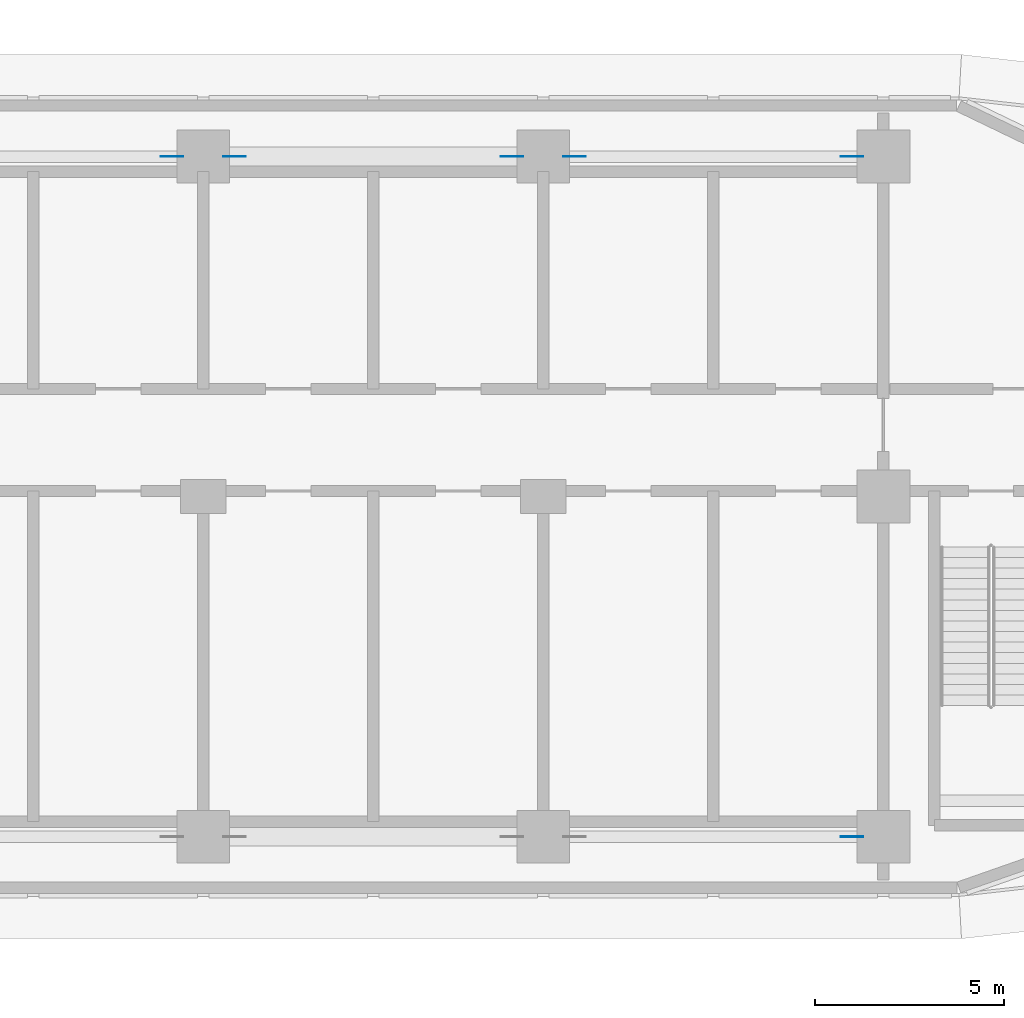
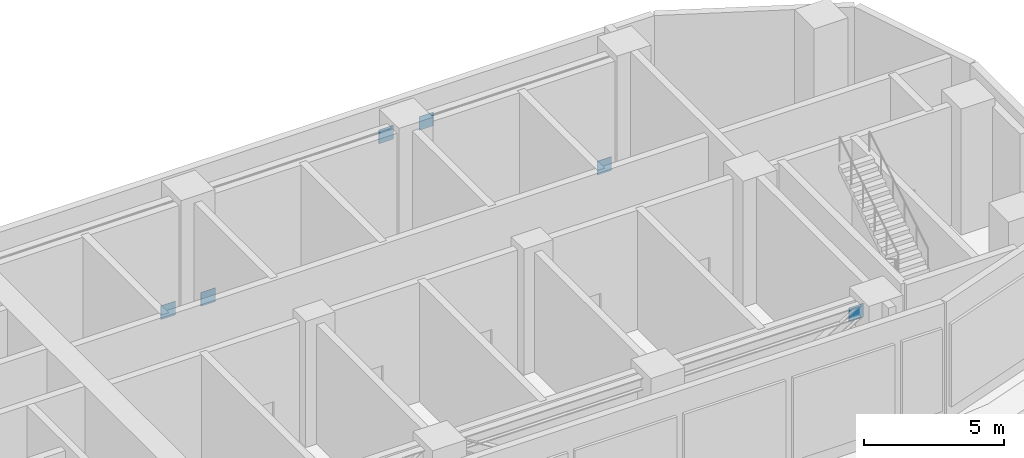
# One storey, part 13 of 23: 6 discrete accessories.
"""IFC4 building model written with IfcOpenShell, lengths in metres."""

from ifc_helpers import new_model, si_unit, direction, frame, origin, origin_2d, place, context, subcontext, project, spatial, rectangle, extrude, material, layer, layer_set, type_object, element, save


model = new_model("IFC4")

# Units and contexts
model_context = context("Model", 3, precision=1e-05, world=origin(), true_north=direction((0.0, 1.0)))
body_context = subcontext(model_context, "Body", "Model", "MODEL_VIEW")
ifc_project = project(units=[si_unit("LENGTHUNIT", "METRE"), si_unit("AREAUNIT", "SQUARE_METRE"), si_unit("VOLUMEUNIT", "CUBIC_METRE"), si_unit("PLANEANGLEUNIT", "RADIAN"), si_unit("MASSUNIT", "GRAM", prefix="KILO")], contexts=[model_context])

# Site, building, storey
site_placement = place(None, origin())
site = spatial("IfcSite", under=ifc_project, at=site_placement, CompositionType="ELEMENT")
building_placement = place(site_placement, origin())
building = spatial("IfcBuilding", under=site, at=building_placement, Name="Ogive Portal Towers", CompositionType="ELEMENT")
storey_placement = place(building_placement, frame((0.0, 0.0, 81.60009765625)))
storey = spatial("IfcBuildingStorey", under=building, at=storey_placement, Name="L19", CompositionType="ELEMENT", Elevation=81.60009765625)

# Discrete accessories
ifc_material = material(Name="Steel S355", Category="steel")
ifc_layer = layer(ifc_material, 0.02001953125)
ifc_layer_set = layer_set([ifc_layer], Name="GUSSET PLATE 600x600x20")
discrete_accessory_type = type_object("IfcDiscreteAccessoryType", Name="GUSSET PLATE 600x600x20", PredefinedType="BRACKET", material=ifc_layer_set)
for number, where, z_axis, x_axis, name in (
    (1, (84.672119140625, 21.5, 4.559326171875), (0.0, 0.0, 1.0), (1.0, 0.0, 0.0), "Gusset plate"),
    (2, (84.672119140625, 39.5, 0.04052734375), (0.0, 0.0, 1.0), (-1.0, 0.0, 0.0), "Gusset plate"),
    (3, (77.327880859375, 39.5, 4.559326171875), (0.0, 0.0, 1.0), (-1.0, 0.0, 0.0), "Gusset plate"),
    (4, (75.672119140625, 39.5, 4.559326171875), (0.0, 0.0, 1.0), (-1.0, 0.0, 0.0), "Gusset plate"),
    (5, (68.327880859375, 39.5, 0.04052734375), (0.0, 0.0, 1.0), (-1.0, 0.0, 0.0), "Gusset plate"),
    (6, (66.671142578125, 39.5, 0.03857421875), (0.0, 0.0, 1.0), (-1.0, 0.0, 0.0), "Gusset plate"),
):
    element("IfcDiscreteAccessory", number, at=place(storey_placement, frame(where, z_axis=z_axis, x_axis=x_axis)), inside=storey, type_object=discrete_accessory_type, Name=name, PredefinedType="BRACKET", context=body_context, shape_type="SweptSolid", body=[
        extrude(rectangle(XDim=0.60009765625, YDim=0.02001953125, at=origin_2d()), origin(), (0.0, 0.0, 1.0), 0.60009765625),
    ])

save(model, "model.ifc")
